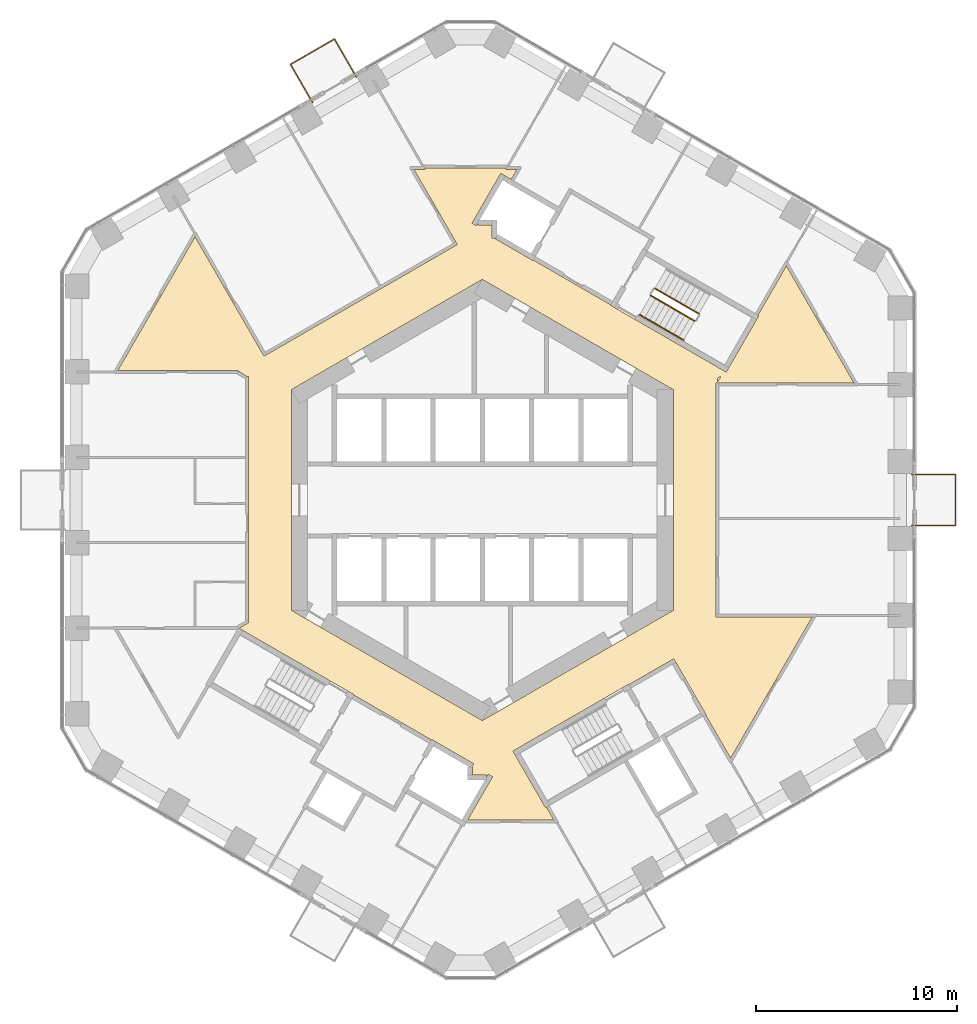
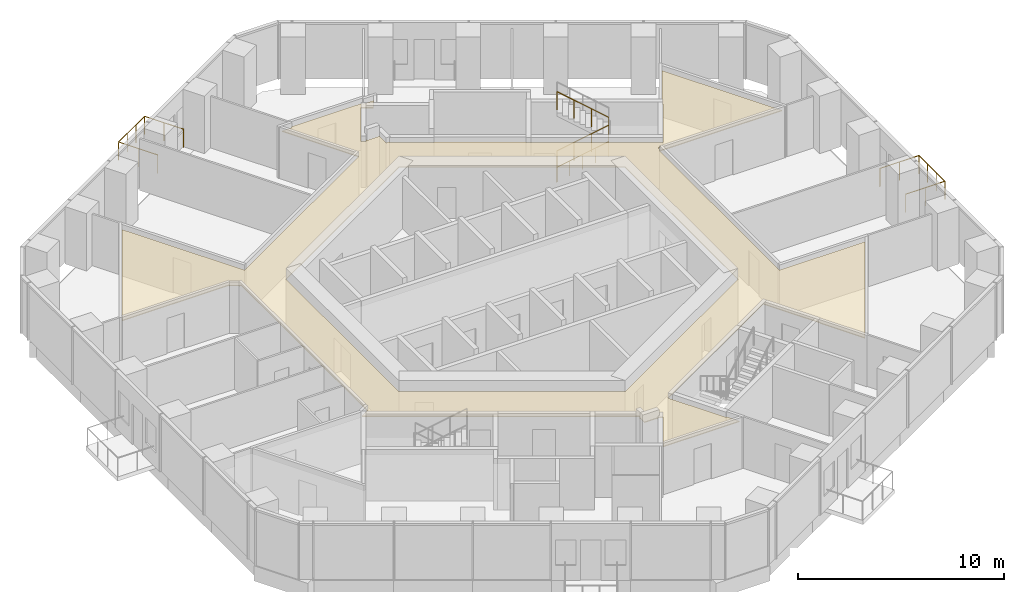
# One storey, part 19 of 20: 6 railings, 1 covering.
"""IFC4 building model written with IfcOpenShell, lengths in metres."""

from ifc_helpers import new_model, si_unit, direction, frame, origin, origin_2d, place, context, subcontext, project, spatial, polyline, circle, outline, extrude, material, layer, layer_set, type_object, element, save


model = new_model("IFC4")

# Units and contexts
model_context = context("Model", 3, precision=1e-05, world=origin(), true_north=direction((0.0, 1.0)))
body_context = subcontext(model_context, "Body", "Model", "MODEL_VIEW")
ifc_project = project(units=[si_unit("LENGTHUNIT", "METRE"), si_unit("AREAUNIT", "SQUARE_METRE"), si_unit("VOLUMEUNIT", "CUBIC_METRE"), si_unit("PLANEANGLEUNIT", "RADIAN"), si_unit("MASSUNIT", "GRAM", prefix="KILO")], contexts=[model_context])

# Site, building, storey
site_placement = place(None, origin())
site = spatial("IfcSite", under=ifc_project, at=site_placement, CompositionType="ELEMENT")
building_placement = place(site_placement, origin())
building = spatial("IfcBuilding", under=site, at=building_placement, Name="Ayvan Gate Tower", CompositionType="ELEMENT")
storey_placement = place(building_placement, frame((0.0, 0.0, 59.5)))
storey = spatial("IfcBuildingStorey", under=building, at=storey_placement, Name="L15", CompositionType="ELEMENT", Elevation=59.5)

# Railings
ifc_material_1 = material(Name="Stainless steel 316 and laminated glass", Category="steel")
railing_type_1 = type_object("IfcRailingType", Name="Balcony balustrade 1100", PredefinedType="BALUSTRADE", material=ifc_material_1)
railing_1_placement = place(storey_placement, frame((-6.259521484375, 21.02099609375, 0.0)))
element("IfcRailing", 1, at=railing_1_placement, inside=storey, type_object=railing_type_1, Name="Balcony balustrade BAL-L15-2", PredefinedType="BALUSTRADE", context=body_context, shape_type="SweptSolid", body=[
    extrude(circle(Radius=0.02490234375, at=origin_2d()), frame((0.0, 0.0, 1.0751953125), z_axis=(-0.499963694393, 0.866046363822, 0.0), x_axis=(-0.866046363822, -0.499963694393, 0.0)), (0.0, 0.0, 1.0), 2.190185546875),
    extrude(circle(Radius=0.02490234375, at=origin_2d()), frame((-1.094970703125, 1.896728515625, 1.0751953125), z_axis=(-0.866028670036, -0.499994342644, 0.0), x_axis=(0.499994342644, -0.866028670036, 0.0)), (0.0, 0.0, 1.0), 2.51318359375),
    extrude(circle(Radius=0.02490234375, at=origin_2d()), frame((-3.271484375, 0.64013671875, 1.0751953125), z_axis=(0.500011965869, -0.866018495177, 0.0), x_axis=(0.866018495177, 0.500011965869, 0.0)), (0.0, 0.0, 1.0), 2.18994140625),
    extrude(circle(Radius=0.02001953125, at=origin_2d()), origin(), (0.0, 0.0, 1.0), 1.050048828125),
    extrude(circle(Radius=0.02001953125, at=origin_2d()), frame((-0.54736328125, 0.9482421875, 0.0)), (0.0, 0.0, 1.0), 1.050048828125),
    extrude(circle(Radius=0.02001953125, at=origin_2d()), frame((-1.094970703125, 1.896728515625, 0.0)), (0.0, 0.0, 1.0), 1.050048828125),
    extrude(circle(Radius=0.02001953125, at=origin_2d()), frame((-1.820556640625, 1.477783203125, 0.0)), (0.0, 0.0, 1.0), 1.050048828125),
    extrude(circle(Radius=0.02001953125, at=origin_2d()), frame((-2.5458984375, 1.05908203125, 0.0)), (0.0, 0.0, 1.0), 1.050048828125),
    extrude(circle(Radius=0.02001953125, at=origin_2d()), frame((-3.271484375, 0.64013671875, 0.0)), (0.0, 0.0, 1.0), 1.050048828125),
    extrude(circle(Radius=0.02001953125, at=origin_2d()), frame((-2.72412109375, -0.30810546875, 0.0)), (0.0, 0.0, 1.0), 1.050048828125),
    extrude(circle(Radius=0.02001953125, at=origin_2d()), frame((-2.176513671875, -1.25634765625, 0.0)), (0.0, 0.0, 1.0), 1.050048828125),
])
railing_2_placement = place(storey_placement, frame((21.334716796875, -1.256591796875, 0.0)))
element("IfcRailing", 2, at=railing_2_placement, inside=storey, type_object=railing_type_1, Name="Balcony balustrade BAL-L15-0", PredefinedType="BALUSTRADE", context=body_context, shape_type="SweptSolid", body=[
    extrude(circle(Radius=0.02490234375, at=origin_2d()), frame((0.0, 0.0, 1.0751953125), z_axis=(1.0, 0.0, 0.0), x_axis=(0.0, 1.0, 0.0)), (0.0, 0.0, 1.0), 2.18994140625),
    extrude(circle(Radius=0.02490234375, at=origin_2d()), frame((2.18994140625, 0.0, 1.0751953125), z_axis=(0.0, 1.0, 0.0), x_axis=(-1.0, 0.0, 0.0)), (0.0, 0.0, 1.0), 2.51318359375),
    extrude(circle(Radius=0.02490234375, at=origin_2d()), frame((2.18994140625, 2.51318359375, 1.0751953125), z_axis=(-1.0, 0.0, 0.0), x_axis=(0.0, -1.0, 0.0)), (0.0, 0.0, 1.0), 2.18994140625),
    extrude(circle(Radius=0.02001953125, at=origin_2d()), origin(), (0.0, 0.0, 1.0), 1.050048828125),
    extrude(circle(Radius=0.02001953125, at=origin_2d()), frame((1.094970703125, 0.0, 0.0)), (0.0, 0.0, 1.0), 1.050048828125),
    extrude(circle(Radius=0.02001953125, at=origin_2d()), frame((2.18994140625, 0.0, 0.0)), (0.0, 0.0, 1.0), 1.050048828125),
    extrude(circle(Radius=0.02001953125, at=origin_2d()), frame((2.18994140625, 0.837646484375, 0.0)), (0.0, 0.0, 1.0), 1.050048828125),
    extrude(circle(Radius=0.02001953125, at=origin_2d()), frame((2.18994140625, 1.675537109375, 0.0)), (0.0, 0.0, 1.0), 1.050048828125),
    extrude(circle(Radius=0.02001953125, at=origin_2d()), frame((2.18994140625, 2.51318359375, 0.0)), (0.0, 0.0, 1.0), 1.050048828125),
    extrude(circle(Radius=0.02001953125, at=origin_2d()), frame((1.094970703125, 2.51318359375, 0.0)), (0.0, 0.0, 1.0), 1.050048828125),
    extrude(circle(Radius=0.02001953125, at=origin_2d()), frame((0.0, 2.51318359375, 0.0)), (0.0, 0.0, 1.0), 1.050048828125),
])

# Covering
ifc_material_2 = material(Name="Plasterboard suspended ceiling")
ifc_layer = layer(ifc_material_2, 0.050048828125)
ifc_layer_set = layer_set([ifc_layer], Name="Plasterboard suspended ceiling")
covering_type = type_object("IfcCoveringType", Name="CT-SUSP-50", PredefinedType="CEILING", material=ifc_layer_set)
covering_placement = place(storey_placement, frame((0.0, 0.0, 2.699951171875)))
element("IfcCovering", 3, at=covering_placement, inside=storey, type_object=covering_type, Name="Ceiling Ring Corridor L15", PredefinedType="CEILING", context=body_context, shape_type="SweptSolid", body=[
    extrude(outline(polyline([(-12.15185546875, 6.44140625), (-18.1259765625, 6.44140625), (-14.285400390625, 13.093505859375), (-10.856689453125, 7.1552734375), (-10.726806640625, 7.230224609375), (-1.24462890625, 12.704833984375), (-1.3095703125, 12.8173828125), (-3.398681640625, 16.43603515625), (-2.8486328125, 16.43603515625), (-2.8486328125, 16.518310546875), (1.173828125, 16.518310546875), (1.173828125, 16.43603515625), (1.72412109375, 16.43603515625), (1.4384765625, 15.941650390625), (1.135498046875, 16.116455078125), (0.918701171875, 16.241455078125), (-0.511474609375, 13.76416015625), (-0.294921875, 13.63916015625), (-0.215576171875, 13.776611328125), (-0.215576171875, 13.68505859375), (0.47509765625, 13.68505859375), (0.47509765625, 13.03857421875), (0.672119140625, 13.03857421875), (0.645751953125, 12.992919921875), (2.518310546875, 11.91162109375), (2.53076171875, 11.933349609375), (6.384521484375, 9.70849609375), (6.3720703125, 9.686767578125), (6.588623046875, 9.561767578125), (12.131103515625, 6.36181640625), (12.24609375, 6.56103515625), (13.631103515625, 8.959716796875), (13.756103515625, 9.176513671875), (13.712890625, 9.201416015625), (15.122802734375, 11.643310546875), (18.482177734375, 5.82470703125), (11.625, 5.82470703125), (11.625, -5.82470703125), (16.403564453125, -5.82470703125), (12.351318359375, -12.84326171875), (11.102294921875, -10.6796875), (11.123779296875, -10.667236328125), (9.623779296875, -8.069091796875), (9.52392578125, -7.89599609375), (7.2939453125, -9.183349609375), (7.281494140625, -9.16162109375), (1.522216796875, -12.48681640625), (1.647216796875, -12.703369140625), (3.147216796875, -15.30126953125), (3.190673828125, -15.2763671875), (3.561279296875, -15.918212890625), (-0.732177734375, -15.918212890625), (0.511474609375, -13.76416015625), (0.294921875, -13.63916015625), (0.215576171875, -13.776611328125), (0.215576171875, -13.68505859375), (-0.47509765625, -13.68505859375), (-0.47509765625, -13.28857421875), (-0.52783203125, -13.28857421875), (-0.42919921875, -13.117919921875), (-2.284423828125, -12.046630859375), (-2.518310546875, -11.91162109375), (-2.53076171875, -11.933349609375), (-6.384521484375, -9.70849609375), (-6.3720703125, -9.686767578125), (-11.897216796875, -6.49658203125), (-12.099853515625, -6.379638671875), (-11.597412109375, -6.089599609375), (-11.65673828125, -5.9873046875), (-11.625, -5.9873046875), (-11.625, 6.13720703125), (-11.743408203125, 6.13720703125), (-11.7275390625, 6.16455078125), (-12.12451171875, 6.393798828125), (-12.15185546875, 6.346435546875), (-12.15185546875, 6.44140625)]), holes=[polyline([(11.870849609375, 6.160888671875), (11.699951171875, 6.062255859375), (11.699951171875, 5.864990234375), (11.870849609375, 6.160888671875)]), polyline([(-2.808349609375, -9.34814453125), (0.0, -10.9697265625), (2.808349609375, -9.34814453125), (9.5, -5.48486328125), (9.5, 5.48486328125), (2.808349609375, 9.34814453125), (0.0, 10.9697265625), (-2.808349609375, 9.34814453125), (-9.5, 5.48486328125), (-9.5, -5.48486328125), (-2.808349609375, -9.34814453125)])]), origin(), (0.0, 0.0, 1.0), 0.050048828125),
])

# Railings
ifc_material_3 = material(Name="Stainless steel balustrade", Category="steel")
railing_type_2 = type_object("IfcRailingType", Name="RL-GUARD-1100", PredefinedType="GUARDRAIL", material=ifc_material_3)
railing_3_placement = place(storey_placement, frame((8.381103515625, 10.16650390625, 0.169921875)))
element("IfcRailing", 4, at=railing_3_placement, inside=storey, type_object=railing_type_2, Name="L15 STS1 stair guard 1", PredefinedType="GUARDRAIL", context=body_context, shape_type="SweptSolid", body=[
    extrude(circle(Radius=0.02392578125, at=origin_2d()), frame((0.0, 0.0, 1.076171875), z_axis=(0.740261155115, -0.427395438142, 0.518986090067), x_axis=(0.500004791531, 0.866022637375, 0.0)), (0.0, 0.0, 1.0), 2.947998046875),
    extrude(circle(Radius=0.02099609375, at=origin_2d()), origin(), (0.0, 0.0, 1.0), 1.052001953125),
    extrude(circle(Radius=0.02099609375, at=origin_2d()), frame((0.7275390625, -0.419921875, 0.510009765625)), (0.0, 0.0, 1.0), 1.052001953125),
    extrude(circle(Radius=0.02099609375, at=origin_2d()), frame((1.454833984375, -0.840087890625, 1.02001953125)), (0.0, 0.0, 1.0), 1.052001953125),
    extrude(circle(Radius=0.02099609375, at=origin_2d()), frame((2.182373046875, -1.260009765625, 1.530029296875)), (0.0, 0.0, 1.0), 1.052001953125),
])
railing_4_placement = place(storey_placement, frame((10.7685546875, 9.261474609375, 1.8701171875)))
element("IfcRailing", 5, at=railing_4_placement, inside=storey, type_object=railing_type_2, Name="L15 STS1 stair guard 3", PredefinedType="GUARDRAIL", context=body_context, shape_type="SweptSolid", body=[
    extrude(circle(Radius=0.02392578125, at=origin_2d()), frame((0.0, 0.0, 1.076171875), z_axis=(-0.740292969978, 0.427413806696, 0.51892557891), x_axis=(-0.500004791531, -0.866022637375, 0.0)), (0.0, 0.0, 1.0), 2.947998046875),
    extrude(circle(Radius=0.02099609375, at=origin_2d()), origin(), (0.0, 0.0, 1.0), 1.052001953125),
    extrude(circle(Radius=0.02099609375, at=origin_2d()), frame((-0.7275390625, 0.419921875, 0.510009765625)), (0.0, 0.0, 1.0), 1.052001953125),
    extrude(circle(Radius=0.02099609375, at=origin_2d()), frame((-1.454833984375, 0.840087890625, 1.019775390625)), (0.0, 0.0, 1.0), 1.052001953125),
    extrude(circle(Radius=0.02099609375, at=origin_2d()), frame((-2.182373046875, 1.260009765625, 1.52978515625)), (0.0, 0.0, 1.0), 1.052001953125),
])
railing_type_3 = type_object("IfcRailingType", Name="RL-HANDRAIL-900", PredefinedType="HANDRAIL", material=ifc_material_3)
railing_5_placement = place(storey_placement, frame((7.8310546875, 9.2138671875, 0.169921875)))
element("IfcRailing", 6, at=railing_5_placement, inside=storey, type_object=railing_type_3, Name="L15 STS1 stair handrail 1", PredefinedType="HANDRAIL", context=body_context, shape_type="SweptSolid", body=[
    extrude(circle(Radius=0.02392578125, at=origin_2d()), frame((0.0, 0.0, 0.8759765625), z_axis=(0.740292964666, -0.42728318766, 0.519033143459), x_axis=(0.499890179513, 0.866088799389, 0.0)), (0.0, 0.0, 1.0), 1.47412109375),
    extrude(circle(Radius=0.02099609375, at=origin_2d()), origin(), (0.0, 0.0, 1.0), 0.851806640625),
    extrude(circle(Radius=0.02099609375, at=origin_2d()), frame((0.545654296875, -0.31494140625, 0.382568359375)), (0.0, 0.0, 1.0), 0.851806640625),
    extrude(circle(Radius=0.02099609375, at=origin_2d()), frame((1.09130859375, -0.6298828125, 0.76513671875)), (0.0, 0.0, 1.0), 0.851806640625),
])
railing_6_placement = place(storey_placement, frame((8.92236328125, 8.583984375, 0.93505859375)))
element("IfcRailing", 7, at=railing_6_placement, inside=storey, type_object=railing_type_3, Name="L15 STS1 stair handrail 2", PredefinedType="HANDRAIL", context=body_context, shape_type="SweptSolid", body=[
    extrude(circle(Radius=0.02392578125, at=origin_2d()), frame((0.0, 0.0, 0.8759765625), z_axis=(0.740229329464, -0.427507697325, 0.518939021976), x_axis=(0.50011940292, 0.865956455501, 0.0)), (0.0, 0.0, 1.0), 1.473876953125),
    extrude(circle(Radius=0.02099609375, at=origin_2d()), origin(), (0.0, 0.0, 1.0), 0.851806640625),
    extrude(circle(Radius=0.02099609375, at=origin_2d()), frame((0.54541015625, -0.31494140625, 0.38232421875)), (0.0, 0.0, 1.0), 0.851806640625),
    extrude(circle(Radius=0.02099609375, at=origin_2d()), frame((1.091064453125, -0.630126953125, 0.764892578125)), (0.0, 0.0, 1.0), 0.851806640625),
])

save(model, "model.ifc")
